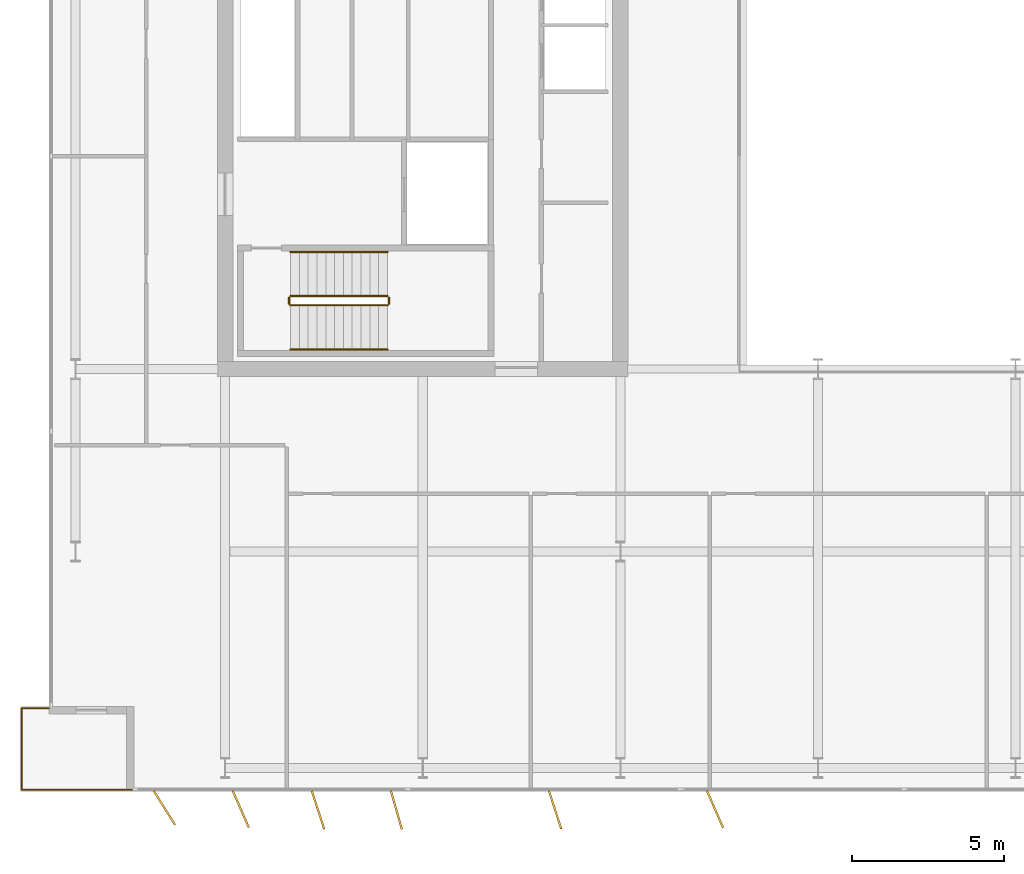
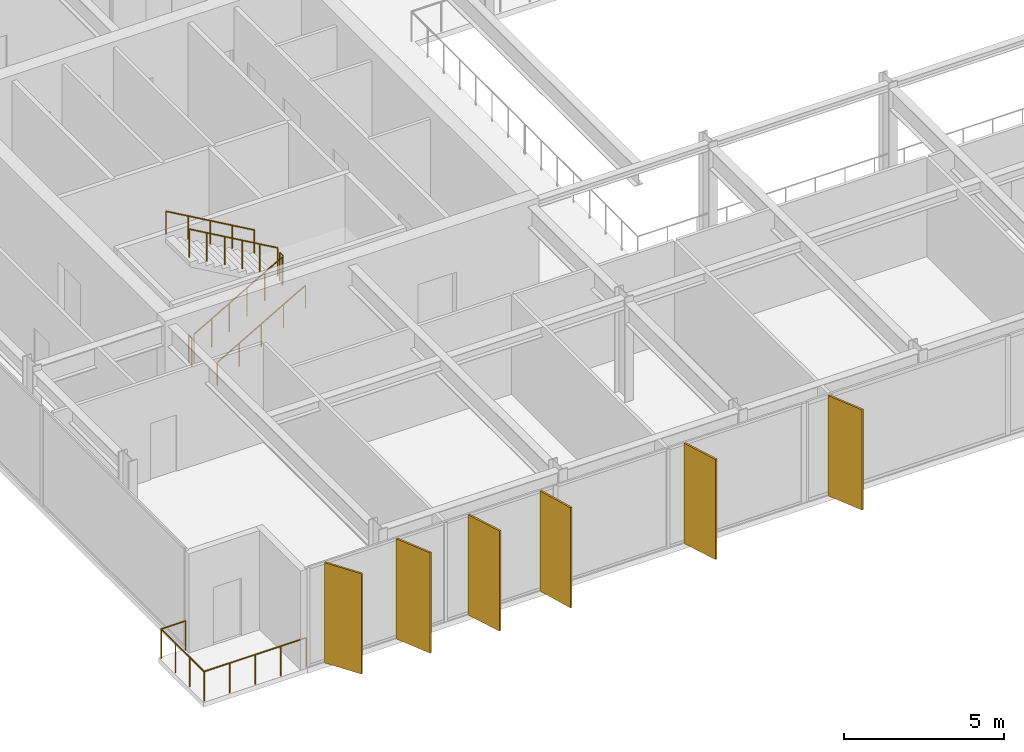
# One storey, part 17 of 20: 7 railings, 6 shading devices.
"""IFC4 building model written with IfcOpenShell, lengths in metres."""

import ifcopenshell
import ifcopenshell.guid

model = None  # the IFC model being written
_history = None  # IfcOwnerHistory: only IFC2X3 demands one
_inside = {}  # id of a spatial element -> (the spatial element, [elements in it])
_under = {}  # id of a project, library or spatial element -> (it, [spatial elements below it])
_declared = {}  # id of a project -> (the project, [libraries it declares])
_typed = {}  # id of a type object -> (the type object, [elements of that type])
_made_of = {}  # id of a material, layer set ... -> (it, [elements and type objects made of it])


def new_model(schema):
    """Start an empty IFC model of exactly this schema.

    Asked for "IFC4X3", IfcOpenShell would pick the latest addendum, in which some entities
    have other attributes; the version numbers below select the first issue.
    IFC2X3 requires an IfcOwnerHistory on every rooted entity: one is made here for all.
    """
    global model, _history
    if schema == "IFC4X3":
        model = ifcopenshell.file(schema_version=(4, 3, 0, 0))
    else:
        model = ifcopenshell.file(schema=schema)
    _inside.clear()
    _under.clear()
    _declared.clear()
    _typed.clear()
    _made_of.clear()
    _history = None
    if model.schema == "IFC2X3":
        org = make("IfcOrganization", Name="unknown")
        user = make(
            "IfcPersonAndOrganization",
            ThePerson=make("IfcPerson", FamilyName="unknown"),
            TheOrganization=org,
        )
        app = make(
            "IfcApplication",
            ApplicationDeveloper=org,
            Version="unknown",
            ApplicationFullName="unknown",
            ApplicationIdentifier="unknown",
        )
        _history = make(
            "IfcOwnerHistory",
            OwningUser=user,
            OwningApplication=app,
            ChangeAction="ADDED",
            CreationDate=0,
        )
    return model


def make(cls, **values):
    """One entity of the class cls with the attributes given. An attribute that is None is left unset."""
    return model.create_entity(
        cls, **{name: value for name, value in values.items() if value is not None}
    )


def rooted(cls, **values):
    """An entity with a GlobalId (a new one), such as an element, a storey or a relation."""
    return make(cls, GlobalId=ifcopenshell.guid.new(), OwnerHistory=_history, **values)


def si_unit(unit_type, name, prefix=None):
    """IfcSIUnit, for example si_unit("LENGTHUNIT", "METRE", prefix="MILLI")."""
    return make("IfcSIUnit", UnitType=unit_type, Prefix=prefix, Name=name)


def assignment(units):
    """IfcUnitAssignment: the units of a project."""
    return None if units is None else make("IfcUnitAssignment", Units=units)


def point(xyz):
    """IfcCartesianPoint."""
    return None if xyz is None else make("IfcCartesianPoint", Coordinates=xyz)


def direction(xyz):
    """IfcDirection."""
    return None if xyz is None else make("IfcDirection", DirectionRatios=xyz)


def frame(location, z_axis=None, x_axis=None):
    """IfcAxis2Placement3D, a coordinate frame: its origin and axes. An axis left out is left unset."""
    return make(
        "IfcAxis2Placement3D",
        Location=point(location),
        Axis=direction(z_axis),
        RefDirection=direction(x_axis),
    )


def frame_2d(location, x_axis=None):
    """IfcAxis2Placement2D, a coordinate frame in the plane: its origin and x axis."""
    return make(
        "IfcAxis2Placement2D", Location=point(location), RefDirection=direction(x_axis)
    )


def origin():
    """The frame at (0, 0, 0) with its axes left unset."""
    return frame((0.0, 0.0, 0.0))


def origin_2d():
    """The frame at (0, 0) in the plane with its x axis left unset."""
    return frame_2d((0.0, 0.0))


def place(relative_to, where):
    """IfcLocalPlacement: puts the frame where relative to a parent placement (None: the world)."""
    return make(
        "IfcLocalPlacement", PlacementRelTo=relative_to, RelativePlacement=where
    )


def context(
    kind, dimensions, precision=None, world=None, true_north=None, identifier=None
):
    """IfcGeometricRepresentationContext, for example the 3D "Model" context."""
    return make(
        "IfcGeometricRepresentationContext",
        ContextIdentifier=identifier,
        ContextType=kind,
        CoordinateSpaceDimension=dimensions,
        Precision=precision,
        WorldCoordinateSystem=world,
        TrueNorth=true_north,
    )


def subcontext(parent, identifier, kind, view, scale=None):
    """IfcGeometricRepresentationSubContext, for example "Body" below "Model"."""
    return make(
        "IfcGeometricRepresentationSubContext",
        ContextIdentifier=identifier,
        ContextType=kind,
        ParentContext=parent,
        TargetScale=scale,
        TargetView=view,
    )


def project(units=None, contexts=None):
    """IfcProject with its units and contexts."""
    return rooted(
        "IfcProject",
        Name="project",
        RepresentationContexts=contexts,
        UnitsInContext=assignment(units),
    )


def spatial(cls, under=None, at=None, **own):
    """A site, building, storey or space (cls), placed at a placement, below another one or the project."""
    s = rooted(cls, ObjectPlacement=at, **own)
    if under is not None:
        _under.setdefault(under.id(), (under, []))[1].append(s)
    return s


def profile(cls, at=None, kind="AREA", **sizes):
    """A parametric profile (cls). Its sizes go by their IFC names, for example OverallWidth=200.0."""
    return make(cls, ProfileType=kind, Position=at, **sizes)


def rectangle(**sizes):
    """IfcRectangleProfileDef."""
    return profile("IfcRectangleProfileDef", **sizes)


def circle(**sizes):
    """IfcCircleProfileDef."""
    return profile("IfcCircleProfileDef", **sizes)


def extrude(swept, where, along, depth):
    """IfcExtrudedAreaSolid: the profile swept, set in the frame where, extruded along a direction by depth."""
    return make(
        "IfcExtrudedAreaSolid",
        SweptArea=swept,
        Position=where,
        ExtrudedDirection=direction(along),
        Depth=depth,
    )


def shape(context_of_items, identifier, shape_type, items):
    """IfcShapeRepresentation: the items that make up one representation, for example the "Body"."""
    return make(
        "IfcShapeRepresentation",
        ContextOfItems=context_of_items,
        RepresentationIdentifier=identifier,
        RepresentationType=shape_type,
        Items=items,
    )


def material(Name=None, Category=None):
    """IfcMaterial."""
    return make("IfcMaterial", Name=Name, Category=Category)


def layer(
    of_material, thickness, ventilated=None, Name=None, Category=None, Priority=None
):
    """IfcMaterialLayer: one layer of a wall or slab, of a material (None: an air gap)."""
    return make(
        "IfcMaterialLayer",
        Material=of_material,
        LayerThickness=thickness,
        IsVentilated=ventilated,
        Name=Name,
        Category=Category,
        Priority=Priority,
    )


def layer_set(layers, Name=None):
    """IfcMaterialLayerSet."""
    return make("IfcMaterialLayerSet", MaterialLayers=layers, LayerSetName=Name)


def made_of(thing, what):
    """Note that an element or type object is made of a material, layer set ...; save() writes the relation."""
    if what is not None:
        _made_of.setdefault(what.id(), (what, []))[1].append(thing)
    return thing


def type_object(cls, material=None, **own):
    """A type object (cls), such as IfcWallType, which elements share."""
    return made_of(rooted(cls, **own), material)


def element(
    cls,
    number,
    at=None,
    inside=None,
    cuts=None,
    type_object=None,
    material=None,
    context=None,
    identifier="Body",
    shape_type=None,
    held_by="IfcProductDefinitionShape",
    body=None,
    shapes=None,
    **own,
):
    """One element of the class cls, such as IfcWall. Its Tag is "e" and its number.

    at: its placement. inside: the storey or other place that contains it. cuts: it is an
    opening in that element (IfcRelVoidsElement). A single representation is given by context,
    identifier, shape_type and body (its items); several are given by shapes. held_by: the class
    of the entity that holds the representations. save() writes the other relations.
    """
    e = rooted(cls, Tag="e%d" % number, ObjectPlacement=at, **own)
    if body is not None:
        shapes = [shape(context, identifier, shape_type, body)]
    if shapes is not None:
        e.Representation = make(held_by, Representations=shapes)
    if inside is not None:
        _inside.setdefault(inside.id(), (inside, []))[1].append(e)
    if cuts is not None:
        rooted(
            "IfcRelVoidsElement", RelatingBuildingElement=cuts, RelatedOpeningElement=e
        )
    if type_object is not None:
        _typed.setdefault(type_object.id(), (type_object, []))[1].append(e)
    return made_of(e, material)


def aggregate(whole, parts):
    """IfcRelAggregates: a whole, such as a stair, and the parts it consists of."""
    return rooted("IfcRelAggregates", RelatingObject=whole, RelatedObjects=parts)


def save(model, path):
    """Write the relations noted so far, then the file.

    IfcRelAggregates (storeys below a building ...), IfcRelContainedInSpatialStructure (elements
    in a storey), IfcRelDefinesByType, IfcRelAssociatesMaterial and IfcRelDeclares: one each for
    every whole, place, type object, material and project.
    """
    for whole, parts in _under.values():
        aggregate(whole, parts)
    for where, things in _inside.values():
        rooted(
            "IfcRelContainedInSpatialStructure",
            RelatedElements=things,
            RelatingStructure=where,
        )
    for kind, things in _typed.values():
        rooted("IfcRelDefinesByType", RelatedObjects=things, RelatingType=kind)
    for what, things in _made_of.values():
        rooted("IfcRelAssociatesMaterial", RelatedObjects=things, RelatingMaterial=what)
    for by, libraries in _declared.values():
        rooted("IfcRelDeclares", RelatingContext=by, RelatedDefinitions=libraries)
    model.write(path)


model = new_model("IFC4")

# Units and contexts
model_context = context("Model", 3, precision=1e-05, world=origin(), true_north=direction((0.0, 1.0)))
body_context = subcontext(model_context, "Body", "Model", "MODEL_VIEW")
ifc_project = project(units=[si_unit("LENGTHUNIT", "METRE"), si_unit("AREAUNIT", "SQUARE_METRE"), si_unit("VOLUMEUNIT", "CUBIC_METRE"), si_unit("PLANEANGLEUNIT", "RADIAN"), si_unit("MASSUNIT", "GRAM", prefix="KILO")], contexts=[model_context])

# Site, building, storey
site_placement = place(None, origin())
site = spatial("IfcSite", under=ifc_project, at=site_placement, CompositionType="ELEMENT")
building_placement = place(site_placement, origin())
building = spatial("IfcBuilding", under=site, at=building_placement, Name="Putna Gate Headquarters", CompositionType="ELEMENT")
storey_placement = place(building_placement, frame((0.0, 0.0, 286.39990234375)))
storey = spatial("IfcBuildingStorey", under=building, at=storey_placement, Name="L72", CompositionType="ELEMENT", Elevation=286.39990234375)

# Railings
ifc_material_1 = material(Name="Powder-coated steel stair guardrail", Category="steel")
railing_type_1 = type_object("IfcRailingType", Name="RAIL-STAIR-GUARD-1100", PredefinedType="GUARDRAIL", material=ifc_material_1)
railing_1_placement = place(storey_placement, frame((15.14990234375, 21.10009765625, 0.166748046875)))
element("IfcRailing", 1, at=railing_1_placement, inside=storey, type_object=railing_type_1, Name="L72 ST1 stair guard 1", PredefinedType="GUARDRAIL", context=body_context, shape_type="SweptSolid", body=[
    extrude(circle(Radius=0.02392578125, at=origin_2d()), frame((0.0, 0.0, 1.076171875), z_axis=(0.8670360191, 0.0, 0.498245463184), x_axis=(0.0, 1.0, 0.0)), (0.0, 0.0, 1.0), 3.679443359375),
    extrude(circle(Radius=0.02099609375, at=origin_2d()), origin(), (0.0, 0.0, 1.0), 1.052001953125),
    extrude(circle(Radius=0.02099609375, at=origin_2d()), frame((0.637939453125, 0.0, 0.36669921875)), (0.0, 0.0, 1.0), 1.052001953125),
    extrude(circle(Radius=0.02099609375, at=origin_2d()), frame((1.276123046875, 0.0, 0.7333984375)), (0.0, 0.0, 1.0), 1.052001953125),
    extrude(circle(Radius=0.02099609375, at=origin_2d()), frame((1.9140625, 0.0, 1.099853515625)), (0.0, 0.0, 1.0), 1.052001953125),
    extrude(circle(Radius=0.02099609375, at=origin_2d()), frame((2.55224609375, 0.0, 1.466552734375)), (0.0, 0.0, 1.0), 1.052001953125),
    extrude(circle(Radius=0.02099609375, at=origin_2d()), frame((3.190185546875, 0.0, 1.833251953125)), (0.0, 0.0, 1.0), 1.052001953125),
])
railing_2_placement = place(storey_placement, frame((18.389892578125, 21.14990234375, 2.0)))
element("IfcRailing", 2, at=railing_2_placement, inside=storey, type_object=railing_type_1, Name="L72 ST1 stair guard 2", PredefinedType="GUARDRAIL", context=body_context, shape_type="SweptSolid", body=[
    extrude(circle(Radius=0.02392578125, at=origin_2d()), frame((0.0, 0.0, 1.076171875), z_axis=(0.0, 1.0, 0.0), x_axis=(-1.0, 0.0, 0.0)), (0.0, 0.0, 1.0), 0.2001953125),
    extrude(circle(Radius=0.02099609375, at=origin_2d()), origin(), (0.0, 0.0, 1.0), 1.052001953125),
    extrude(circle(Radius=0.02099609375, at=origin_2d()), frame((0.0, 0.2001953125, 0.0)), (0.0, 0.0, 1.0), 1.052001953125),
])
railing_3_placement = place(storey_placement, frame((18.340087890625, 21.39990234375, 2.166748046875)))
element("IfcRailing", 3, at=railing_3_placement, inside=storey, type_object=railing_type_1, Name="L72 ST1 stair guard 3", PredefinedType="GUARDRAIL", context=body_context, shape_type="SweptSolid", body=[
    extrude(circle(Radius=0.02392578125, at=origin_2d()), frame((0.0, 0.0, 1.076171875), z_axis=(-0.8670360191, 0.0, 0.498245463184), x_axis=(0.0, -1.0, 0.0)), (0.0, 0.0, 1.0), 3.679443359375),
    extrude(circle(Radius=0.02099609375, at=origin_2d()), origin(), (0.0, 0.0, 1.0), 1.052001953125),
    extrude(circle(Radius=0.02099609375, at=origin_2d()), frame((-0.637939453125, 0.0, 0.36669921875)), (0.0, 0.0, 1.0), 1.052001953125),
    extrude(circle(Radius=0.02099609375, at=origin_2d()), frame((-1.276123046875, 0.0, 0.7333984375)), (0.0, 0.0, 1.0), 1.052001953125),
    extrude(circle(Radius=0.02099609375, at=origin_2d()), frame((-1.9140625, 0.0, 1.099853515625)), (0.0, 0.0, 1.0), 1.052001953125),
    extrude(circle(Radius=0.02099609375, at=origin_2d()), frame((-2.55224609375, 0.0, 1.466552734375)), (0.0, 0.0, 1.0), 1.052001953125),
    extrude(circle(Radius=0.02099609375, at=origin_2d()), frame((-3.190185546875, 0.0, 1.833251953125)), (0.0, 0.0, 1.0), 1.052001953125),
])
railing_4_placement = place(storey_placement, frame((15.10009765625, 21.14990234375, 0.0)))
element("IfcRailing", 4, at=railing_4_placement, inside=storey, type_object=railing_type_1, Name="L72 ST1 stair guard 4", PredefinedType="GUARDRAIL", context=body_context, shape_type="SweptSolid", body=[
    extrude(circle(Radius=0.02392578125, at=origin_2d()), frame((0.0, 0.0, 1.076171875), z_axis=(0.0, 1.0, 0.0), x_axis=(-1.0, 0.0, 0.0)), (0.0, 0.0, 1.0), 0.2001953125),
    extrude(circle(Radius=0.02099609375, at=origin_2d()), origin(), (0.0, 0.0, 1.0), 1.052001953125),
    extrude(circle(Radius=0.02099609375, at=origin_2d()), frame((0.0, 0.2001953125, 0.0)), (0.0, 0.0, 1.0), 1.052001953125),
])
ifc_material_2 = material(Name="Brushed stainless steel handrail", Category="steel")
railing_type_2 = type_object("IfcRailingType", Name="RAIL-STAIR-HAND-900", PredefinedType="HANDRAIL", material=ifc_material_2)
railing_5_placement = place(storey_placement, frame((15.14990234375, 19.64990234375, 0.166748046875)))
element("IfcRailing", 5, at=railing_5_placement, inside=storey, type_object=railing_type_2, Name="L72 ST1 stair handrail 1", PredefinedType="HANDRAIL", context=body_context, shape_type="SweptSolid", body=[
    extrude(circle(Radius=0.02392578125, at=origin_2d()), frame((0.0, 0.0, 0.8759765625), z_axis=(0.8670360191, 0.0, 0.498245463184), x_axis=(0.0, 1.0, 0.0)), (0.0, 0.0, 1.0), 3.679443359375),
    extrude(circle(Radius=0.02099609375, at=origin_2d()), origin(), (0.0, 0.0, 1.0), 0.851806640625),
    extrude(circle(Radius=0.02099609375, at=origin_2d()), frame((0.797607421875, 0.0, 0.458251953125)), (0.0, 0.0, 1.0), 0.851806640625),
    extrude(circle(Radius=0.02099609375, at=origin_2d()), frame((1.59521484375, 0.0, 0.91650390625)), (0.0, 0.0, 1.0), 0.851806640625),
    extrude(circle(Radius=0.02099609375, at=origin_2d()), frame((2.392578125, 0.0, 1.375)), (0.0, 0.0, 1.0), 0.851806640625),
    extrude(circle(Radius=0.02099609375, at=origin_2d()), frame((3.190185546875, 0.0, 1.833251953125)), (0.0, 0.0, 1.0), 0.851806640625),
])
railing_6_placement = place(storey_placement, frame((18.340087890625, 22.85009765625, 2.166748046875)))
element("IfcRailing", 6, at=railing_6_placement, inside=storey, type_object=railing_type_2, Name="L72 ST1 stair handrail 2", PredefinedType="HANDRAIL", context=body_context, shape_type="SweptSolid", body=[
    extrude(circle(Radius=0.02392578125, at=origin_2d()), frame((0.0, 0.0, 0.8759765625), z_axis=(-0.8670360191, 0.0, 0.498245463184), x_axis=(0.0, -1.0, 0.0)), (0.0, 0.0, 1.0), 3.679443359375),
    extrude(circle(Radius=0.02099609375, at=origin_2d()), origin(), (0.0, 0.0, 1.0), 0.851806640625),
    extrude(circle(Radius=0.02099609375, at=origin_2d()), frame((-0.797607421875, 0.0, 0.458251953125)), (0.0, 0.0, 1.0), 0.851806640625),
    extrude(circle(Radius=0.02099609375, at=origin_2d()), frame((-1.59521484375, 0.0, 0.91650390625)), (0.0, 0.0, 1.0), 0.851806640625),
    extrude(circle(Radius=0.02099609375, at=origin_2d()), frame((-2.392578125, 0.0, 1.375)), (0.0, 0.0, 1.0), 0.851806640625),
    extrude(circle(Radius=0.02099609375, at=origin_2d()), frame((-3.190185546875, 0.0, 1.833251953125)), (0.0, 0.0, 1.0), 0.851806640625),
])
ifc_material_3 = material(Name="Anodised bronze steel and laminated glass guardrail", Category="steel")
railing_type_3 = type_object("IfcRailingType", Name="RAIL-TERR-GUARD-1150", PredefinedType="GUARDRAIL", material=ifc_material_3)
railing_7_placement = place(storey_placement, frame((10.0, 5.159912109375, 0.0)))
element("IfcRailing", 7, at=railing_7_placement, inside=storey, type_object=railing_type_3, Name="L72 Spiral Sky Terrace Guardrail SW", PredefinedType="GUARDRAIL", context=body_context, shape_type="SweptSolid", body=[
    extrude(circle(Radius=0.02392578125, at=origin_2d()), frame((0.0, 0.0, 1.1259765625), z_axis=(-1.0, 0.0, 0.0), x_axis=(0.0, -1.0, 0.0)), (0.0, 0.0, 1.0), 3.68994140625),
    extrude(circle(Radius=0.02392578125, at=origin_2d()), frame((-3.68994140625, 0.0, 1.1259765625), z_axis=(0.0, 1.0, 0.0), x_axis=(-1.0, 0.0, 0.0)), (0.0, 0.0, 1.0), 2.68017578125),
    extrude(circle(Radius=0.02392578125, at=origin_2d()), frame((-3.68994140625, 2.68017578125, 1.1259765625), z_axis=(1.0, 0.0, 0.0), x_axis=(0.0, 1.0, 0.0)), (0.0, 0.0, 1.0), 0.889892578125),
    extrude(circle(Radius=0.02099609375, at=origin_2d()), origin(), (0.0, 0.0, 1.0), 1.101806640625),
    extrude(circle(Radius=0.02099609375, at=origin_2d()), frame((-0.92236328125, 0.0, 0.0)), (0.0, 0.0, 1.0), 1.101806640625),
    extrude(circle(Radius=0.02099609375, at=origin_2d()), frame((-1.844970703125, 0.0, 0.0)), (0.0, 0.0, 1.0), 1.101806640625),
    extrude(circle(Radius=0.02099609375, at=origin_2d()), frame((-2.767578125, 0.0, 0.0)), (0.0, 0.0, 1.0), 1.101806640625),
    extrude(circle(Radius=0.02099609375, at=origin_2d()), frame((-3.68994140625, 0.0, 0.0)), (0.0, 0.0, 1.0), 1.101806640625),
    extrude(circle(Radius=0.02099609375, at=origin_2d()), frame((-3.68994140625, 0.893310546875, 0.0)), (0.0, 0.0, 1.0), 1.101806640625),
    extrude(circle(Radius=0.02099609375, at=origin_2d()), frame((-3.68994140625, 1.786865234375, 0.0)), (0.0, 0.0, 1.0), 1.101806640625),
    extrude(circle(Radius=0.02099609375, at=origin_2d()), frame((-3.68994140625, 2.68017578125, 0.0)), (0.0, 0.0, 1.0), 1.101806640625),
    extrude(circle(Radius=0.02099609375, at=origin_2d()), frame((-2.800048828125, 2.68017578125, 0.0)), (0.0, 0.0, 1.0), 1.101806640625),
])

# Shading devices
ifc_material_4 = material(Name="Anodised architectural bronze aluminium fin", Category="aluminium")
ifc_layer = layer(ifc_material_4, 0.06494140625)
ifc_layer_set = layer_set([ifc_layer], Name="Anodised architectural bronze aluminium fin")
shading_device_type = type_object("IfcShadingDeviceType", Name="SHADE-BRONZE-FIN-1320", PredefinedType="USERDEFINED", material=ifc_layer_set)
for number, where, z_axis, x_axis, name in (
    (8, (11.000244140625, 4.565673828125, -0.02001953125), (0.0, 0.0, 1.0), (0.530659123936, -0.847585331506, 0.0), "L72 Bronze Vertical Shading Fin S1"),
    (9, (13.514404296875, 4.520263671875, -0.02001953125), (0.0, 0.0, 1.0), (0.400668879095, -0.916222925562, 0.0), "L72 Bronze Vertical Shading Fin S2"),
    (10, (16.0537109375, 4.497314453125, -0.02001953125), (0.0, 0.0, 1.0), (0.308684994204, -0.951164325631, 0.0), "L72 Bronze Vertical Shading Fin S3"),
    (11, (18.6318359375, 4.490478515625, -0.02001953125), (0.0, 0.0, 1.0), (0.275637355817, -0.961261695938, 0.0), "L72 Bronze Vertical Shading Fin S4"),
    (12, (23.853759765625, 4.497314453125, -0.02001953125), (0.0, 0.0, 1.0), (0.308684994204, -0.951164325631, 0.0), "L72 Bronze Vertical Shading Fin S5"),
    (13, (29.114501953125, 4.520263671875, -0.02001953125), (0.0, 0.0, 1.0), (0.400668879095, -0.916222925562, 0.0), "L72 Bronze Vertical Shading Fin S6"),
):
    element("IfcShadingDevice", number, at=place(storey_placement, frame(where, z_axis=z_axis, x_axis=x_axis)), inside=storey, type_object=shading_device_type, Name=name, ObjectType="FIN", PredefinedType="USERDEFINED", context=body_context, shape_type="SweptSolid", body=[
        extrude(rectangle(XDim=1.320068359375, YDim=0.06494140625, at=origin_2d()), origin(), (0.0, 0.0, 1.0), 3.827880859375),
    ])

save(model, "model.ifc")
